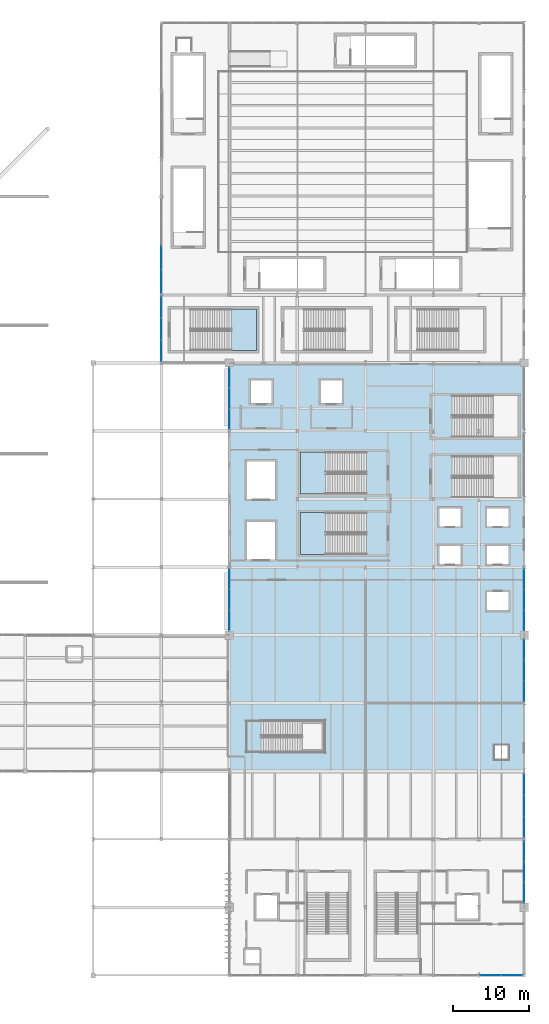
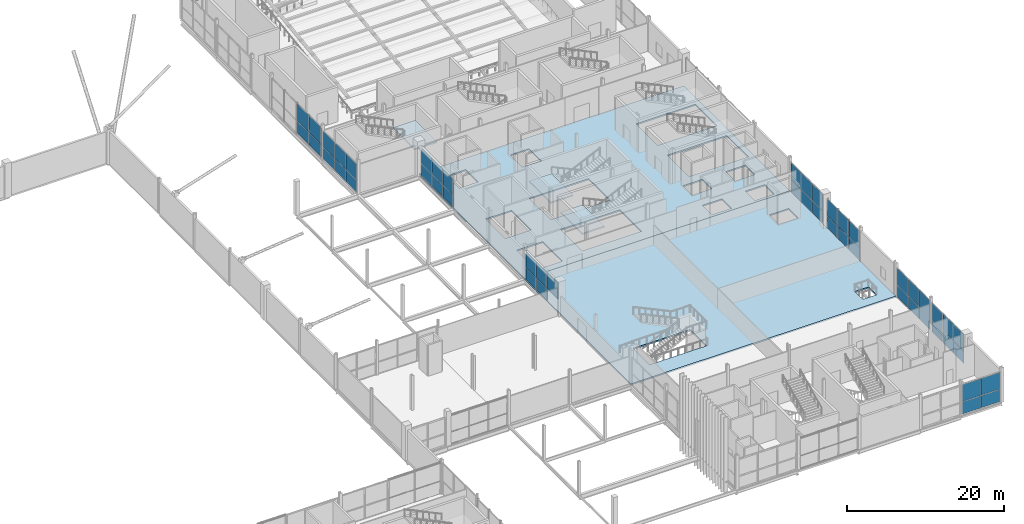
# One storey, part 79 of 119: 49 plates, 5 slabs, 12 elements without a shape of their own.
"""IFC4 building model written with IfcOpenShell, lengths in metres."""

from ifc_helpers import new_model, si_unit, direction, frame, origin, origin_2d, place, context, subcontext, project, spatial, polyline, rectangle, outline, extrude, material, layer, layer_set, type_object, element, aggregate, save


model = new_model("IFC4")

# Units and contexts
model_context = context("Model", 3, precision=1e-05, world=origin(), true_north=direction((0.0, 1.0)))
body_context = subcontext(model_context, "Body", "Model", "MODEL_VIEW")
ifc_project = project(units=[si_unit("LENGTHUNIT", "METRE"), si_unit("AREAUNIT", "SQUARE_METRE"), si_unit("VOLUMEUNIT", "CUBIC_METRE"), si_unit("PLANEANGLEUNIT", "RADIAN"), si_unit("MASSUNIT", "GRAM", prefix="KILO")], contexts=[model_context])

# Site, building, storey
site_placement = place(None, origin())
site = spatial("IfcSite", under=ifc_project, at=site_placement, CompositionType="ELEMENT")
building_placement = place(site_placement, origin())
building = spatial("IfcBuilding", under=site, at=building_placement, Name="Qamarlyn Nura Convention Centre", CompositionType="ELEMENT")
storey_placement = place(building_placement, frame((0.0, 0.0, 5.39990234375)))
storey = spatial("IfcBuildingStorey", under=building, at=storey_placement, Name="L01", CompositionType="ELEMENT", Elevation=5.39990234375)

# Curtain wall, plates
ifc_material_1 = material(Name="Double-silver low-E insulated glass", Category="glass")
ifc_layer_1 = layer(ifc_material_1, 0.179931640625, Name="CW-UNIT-67")
ifc_layer_set_1 = layer_set([ifc_layer_1], Name="Double-silver low-E insulated glass")
curtain_wall_type_1 = type_object("IfcCurtainWallType", Name="CW-UNIT-67", PredefinedType="NOTDEFINED", material=ifc_layer_set_1)
curtain_wall_1_placement = place(storey_placement, origin())
curtain_wall_1 = element("IfcCurtainWall", 1, at=curtain_wall_1_placement, inside=storey, type_object=curtain_wall_type_1, Name="L01 unitised curtain wall EAST-3-1", PredefinedType="NOTDEFINED")
ifc_layer_2 = layer(ifc_material_1, 0.028076171875, Name="CWP-VIS-28")
ifc_layer_set_2 = layer_set([ifc_layer_2], Name="Double-silver low-E insulated glass")
plate_type_1 = type_object("IfcPlateType", Name="CWP-VIS-28", PredefinedType="CURTAIN_PANEL", material=ifc_layer_set_2)
plate_1_placement = place(storey_placement, frame((192.0, 25.2275390625, 0.06494140625), z_axis=(0.0, 0.0, 1.0), x_axis=(0.0, -1.0, 0.0)))
plate_1 = element("IfcPlate", 2, at=plate_1_placement, type_object=plate_type_1, Name="CW67 panel 1.1", PredefinedType="CURTAIN_PANEL", context=body_context, shape_type="SweptSolid", body=[
    extrude(rectangle(XDim=2.719970703125, YDim=0.028076171875, at=origin_2d()), origin(), (0.0, 0.0, 1.0), 1.859619140625),
])
plate_2_placement = place(storey_placement, frame((192.0, 25.2275390625, 1.989501953125), z_axis=(0.0, 0.0, 1.0), x_axis=(0.0, -1.0, 0.0)))
plate_2 = element("IfcPlate", 3, at=plate_2_placement, type_object=plate_type_1, Name="CW67 panel 1.2", PredefinedType="CURTAIN_PANEL", context=body_context, shape_type="SweptSolid", body=[
    extrude(rectangle(XDim=2.719970703125, YDim=0.028076171875, at=origin_2d()), origin(), (0.0, 0.0, 1.0), 2.6044921875),
])
plate_3_placement = place(storey_placement, frame((192.0, 22.42626953125, 0.06494140625), z_axis=(0.0, 0.0, 1.0), x_axis=(0.0, -1.0, 0.0)))
plate_3 = element("IfcPlate", 4, at=plate_3_placement, type_object=plate_type_1, Name="CW67 panel 2.1", PredefinedType="CURTAIN_PANEL", context=body_context, shape_type="SweptSolid", body=[
    extrude(rectangle(XDim=2.75244140625, YDim=0.028076171875, at=origin_2d()), origin(), (0.0, 0.0, 1.0), 1.859619140625),
])
plate_4_placement = place(storey_placement, frame((192.0, 22.42626953125, 1.989501953125), z_axis=(0.0, 0.0, 1.0), x_axis=(0.0, -1.0, 0.0)))
plate_4 = element("IfcPlate", 5, at=plate_4_placement, type_object=plate_type_1, Name="CW67 panel 2.2", PredefinedType="CURTAIN_PANEL", context=body_context, shape_type="SweptSolid", body=[
    extrude(rectangle(XDim=2.75244140625, YDim=0.028076171875, at=origin_2d()), origin(), (0.0, 0.0, 1.0), 2.6044921875),
])
plate_5_placement = place(storey_placement, frame((192.0, 19.625, 0.06494140625), z_axis=(0.0, 0.0, 1.0), x_axis=(0.0, -1.0, 0.0)))
plate_5 = element("IfcPlate", 6, at=plate_5_placement, type_object=plate_type_1, Name="CW67 panel 3.1", PredefinedType="CURTAIN_PANEL", context=body_context, shape_type="SweptSolid", body=[
    extrude(rectangle(XDim=2.719970703125, YDim=0.028076171875, at=origin_2d()), origin(), (0.0, 0.0, 1.0), 1.859619140625),
])
plate_6_placement = place(storey_placement, frame((192.0, 19.625, 1.989501953125), z_axis=(0.0, 0.0, 1.0), x_axis=(0.0, -1.0, 0.0)))
plate_6 = element("IfcPlate", 7, at=plate_6_placement, type_object=plate_type_1, Name="CW67 panel 3.2", PredefinedType="CURTAIN_PANEL", context=body_context, shape_type="SweptSolid", body=[
    extrude(rectangle(XDim=2.719970703125, YDim=0.028076171875, at=origin_2d()), origin(), (0.0, 0.0, 1.0), 2.6044921875),
])
aggregate(curtain_wall_1, [plate_1, plate_2, plate_3, plate_4, plate_5, plate_6])

ifc_layer_3 = layer(ifc_material_1, 0.179931640625, Name="CW-UNIT-68")
ifc_layer_set_3 = layer_set([ifc_layer_3], Name="Double-silver low-E insulated glass")
curtain_wall_type_2 = type_object("IfcCurtainWallType", Name="CW-UNIT-68", PredefinedType="NOTDEFINED", material=ifc_layer_set_3)
curtain_wall_2_placement = place(storey_placement, origin())
curtain_wall_2 = element("IfcCurtainWall", 8, at=curtain_wall_2_placement, inside=storey, type_object=curtain_wall_type_2, Name="L01 unitised curtain wall EAST-5-1", PredefinedType="NOTDEFINED")
plate_7_placement = place(storey_placement, frame((192.0, 43.06201171875, 0.06005859375), z_axis=(0.0, 0.0, 1.0), x_axis=(0.0, -1.0, 0.0)))
plate_7 = element("IfcPlate", 9, at=plate_7_placement, type_object=plate_type_1, Name="CW68 panel 1.1", PredefinedType="CURTAIN_PANEL", context=body_context, shape_type="SweptSolid", body=[
    extrude(rectangle(XDim=2.65576171875, YDim=0.028076171875, at=origin_2d()), origin(), (0.0, 0.0, 1.0), 1.8359375),
])
plate_8_placement = place(storey_placement, frame((192.0, 43.06201171875, 1.9560546875), z_axis=(0.0, 0.0, 1.0), x_axis=(0.0, -1.0, 0.0)))
plate_8 = element("IfcPlate", 10, at=plate_8_placement, type_object=plate_type_1, Name="CW68 panel 1.2", PredefinedType="CURTAIN_PANEL", context=body_context, shape_type="SweptSolid", body=[
    extrude(rectangle(XDim=2.65576171875, YDim=0.028076171875, at=origin_2d()), origin(), (0.0, 0.0, 1.0), 2.570068359375),
])
plate_9_placement = place(storey_placement, frame((192.0, 40.331298828125, 0.06005859375), z_axis=(0.0, 0.0, 1.0), x_axis=(0.0, -1.0, 0.0)))
plate_9 = element("IfcPlate", 11, at=plate_9_placement, type_object=plate_type_1, Name="CW68 panel 2.1", PredefinedType="CURTAIN_PANEL", context=body_context, shape_type="SweptSolid", body=[
    extrude(rectangle(XDim=2.685791015625, YDim=0.028076171875, at=origin_2d()), origin(), (0.0, 0.0, 1.0), 1.8359375),
])
plate_10_placement = place(storey_placement, frame((192.0, 40.331298828125, 1.9560546875), z_axis=(0.0, 0.0, 1.0), x_axis=(0.0, -1.0, 0.0)))
plate_10 = element("IfcPlate", 12, at=plate_10_placement, type_object=plate_type_1, Name="CW68 panel 2.2", PredefinedType="CURTAIN_PANEL", context=body_context, shape_type="SweptSolid", body=[
    extrude(rectangle(XDim=2.685791015625, YDim=0.028076171875, at=origin_2d()), origin(), (0.0, 0.0, 1.0), 2.570068359375),
])
plate_11_placement = place(storey_placement, frame((192.0, 37.600341796875, 0.06005859375), z_axis=(0.0, 0.0, 1.0), x_axis=(0.0, -1.0, 0.0)))
plate_11 = element("IfcPlate", 13, at=plate_11_placement, type_object=plate_type_1, Name="CW68 panel 3.1", PredefinedType="CURTAIN_PANEL", context=body_context, shape_type="SweptSolid", body=[
    extrude(rectangle(XDim=2.65576171875, YDim=0.028076171875, at=origin_2d()), origin(), (0.0, 0.0, 1.0), 1.8359375),
])
plate_12_placement = place(storey_placement, frame((192.0, 37.600341796875, 1.9560546875), z_axis=(0.0, 0.0, 1.0), x_axis=(0.0, -1.0, 0.0)))
plate_12 = element("IfcPlate", 14, at=plate_12_placement, type_object=plate_type_1, Name="CW68 panel 3.2", PredefinedType="CURTAIN_PANEL", context=body_context, shape_type="SweptSolid", body=[
    extrude(rectangle(XDim=2.65576171875, YDim=0.028076171875, at=origin_2d()), origin(), (0.0, 0.0, 1.0), 2.570068359375),
])
aggregate(curtain_wall_2, [plate_7, plate_8, plate_9, plate_10, plate_11, plate_12])

ifc_layer_4 = layer(ifc_material_1, 0.179931640625, Name="CW-UNIT-69")
ifc_layer_set_4 = layer_set([ifc_layer_4], Name="Double-silver low-E insulated glass")
curtain_wall_type_3 = type_object("IfcCurtainWallType", Name="CW-UNIT-69", PredefinedType="NOTDEFINED", material=ifc_layer_set_4)
curtain_wall_3_placement = place(storey_placement, origin())
curtain_wall_3 = element("IfcCurtainWall", 15, at=curtain_wall_3_placement, inside=storey, type_object=curtain_wall_type_3, Name="L01 unitised curtain wall EAST-6-1", PredefinedType="NOTDEFINED")
plate_13_placement = place(storey_placement, frame((192.0, 52.407470703125, 0.070068359375), z_axis=(0.0, 0.0, 1.0), x_axis=(0.0, -1.0, 0.0)))
plate_13 = element("IfcPlate", 16, at=plate_13_placement, type_object=plate_type_1, Name="CW69 panel 1.1", PredefinedType="CURTAIN_PANEL", context=body_context, shape_type="SweptSolid", body=[
    extrude(rectangle(XDim=2.64501953125, YDim=0.028076171875, at=origin_2d()), origin(), (0.0, 0.0, 1.0), 1.85205078125),
])
plate_14_placement = place(storey_placement, frame((192.0, 52.407470703125, 1.9921875), z_axis=(0.0, 0.0, 1.0), x_axis=(0.0, -1.0, 0.0)))
plate_14 = element("IfcPlate", 17, at=plate_14_placement, type_object=plate_type_1, Name="CW69 panel 1.2", PredefinedType="CURTAIN_PANEL", context=body_context, shape_type="SweptSolid", body=[
    extrude(rectangle(XDim=2.64501953125, YDim=0.028076171875, at=origin_2d()), origin(), (0.0, 0.0, 1.0), 2.596923828125),
])
plate_15_placement = place(storey_placement, frame((192.0, 49.675048828125, 0.070068359375), z_axis=(0.0, 0.0, 1.0), x_axis=(0.0, -1.0, 0.0)))
plate_15 = element("IfcPlate", 18, at=plate_15_placement, type_object=plate_type_1, Name="CW69 panel 2.1", PredefinedType="CURTAIN_PANEL", context=body_context, shape_type="SweptSolid", body=[
    extrude(rectangle(XDim=2.679931640625, YDim=0.028076171875, at=origin_2d()), origin(), (0.0, 0.0, 1.0), 1.85205078125),
])
plate_16_placement = place(storey_placement, frame((192.0, 49.675048828125, 1.9921875), z_axis=(0.0, 0.0, 1.0), x_axis=(0.0, -1.0, 0.0)))
plate_16 = element("IfcPlate", 19, at=plate_16_placement, type_object=plate_type_1, Name="CW69 panel 2.2", PredefinedType="CURTAIN_PANEL", context=body_context, shape_type="SweptSolid", body=[
    extrude(rectangle(XDim=2.679931640625, YDim=0.028076171875, at=origin_2d()), origin(), (0.0, 0.0, 1.0), 2.596923828125),
])
plate_17_placement = place(storey_placement, frame((192.0, 46.9423828125, 0.070068359375), z_axis=(0.0, 0.0, 1.0), x_axis=(0.0, -1.0, 0.0)))
plate_17 = element("IfcPlate", 20, at=plate_17_placement, type_object=plate_type_1, Name="CW69 panel 3.1", PredefinedType="CURTAIN_PANEL", context=body_context, shape_type="SweptSolid", body=[
    extrude(rectangle(XDim=2.64501953125, YDim=0.028076171875, at=origin_2d()), origin(), (0.0, 0.0, 1.0), 1.85205078125),
])
plate_18_placement = place(storey_placement, frame((192.0, 46.9423828125, 1.9921875), z_axis=(0.0, 0.0, 1.0), x_axis=(0.0, -1.0, 0.0)))
plate_18 = element("IfcPlate", 21, at=plate_18_placement, type_object=plate_type_1, Name="CW69 panel 3.2", PredefinedType="CURTAIN_PANEL", context=body_context, shape_type="SweptSolid", body=[
    extrude(rectangle(XDim=2.64501953125, YDim=0.028076171875, at=origin_2d()), origin(), (0.0, 0.0, 1.0), 2.596923828125),
])
aggregate(curtain_wall_3, [plate_13, plate_14, plate_15, plate_16, plate_17, plate_18])

ifc_layer_5 = layer(ifc_material_1, 0.179931640625, Name="CW-UNIT-79")
ifc_layer_set_5 = layer_set([ifc_layer_5], Name="Double-silver low-E insulated glass")
curtain_wall_type_4 = type_object("IfcCurtainWallType", Name="CW-UNIT-79", PredefinedType="NOTDEFINED", material=ifc_layer_set_5)
curtain_wall_4_placement = place(storey_placement, origin())
curtain_wall_4 = element("IfcCurtainWall", 22, at=curtain_wall_4_placement, inside=storey, type_object=curtain_wall_type_4, Name="L01 unitised curtain wall STH-5-1", PredefinedType="NOTDEFINED")
plate_19_placement = place(storey_placement, frame((190.356689453125, 0.0, 0.065185546875), z_axis=(0.0, 0.0, 1.0), x_axis=(-1.0, 0.0, 0.0)))
plate_19 = element("IfcPlate", 23, at=plate_19_placement, type_object=plate_type_1, Name="CW79 panel 1.1", PredefinedType="CURTAIN_PANEL", context=body_context, shape_type="SweptSolid", body=[
    extrude(rectangle(XDim=2.74755859375, YDim=0.028076171875, at=origin_2d()), origin(), (0.0, 0.0, 1.0), 1.87646484375),
])
plate_20_placement = place(storey_placement, frame((190.356689453125, 0.0, 2.006591796875), z_axis=(0.0, 0.0, 1.0), x_axis=(-1.0, 0.0, 0.0)))
plate_20 = element("IfcPlate", 24, at=plate_20_placement, type_object=plate_type_1, Name="CW79 panel 1.2", PredefinedType="CURTAIN_PANEL", context=body_context, shape_type="SweptSolid", body=[
    extrude(rectangle(XDim=2.74755859375, YDim=0.028076171875, at=origin_2d()), origin(), (0.0, 0.0, 1.0), 2.62744140625),
])
plate_21_placement = place(storey_placement, frame((187.544189453125, 0.0, 0.065185546875), z_axis=(0.0, 0.0, 1.0), x_axis=(-1.0, 0.0, 0.0)))
plate_21 = element("IfcPlate", 25, at=plate_21_placement, type_object=plate_type_1, Name="CW79 panel 2.1", PredefinedType="CURTAIN_PANEL", context=body_context, shape_type="SweptSolid", body=[
    extrude(rectangle(XDim=2.74755859375, YDim=0.028076171875, at=origin_2d()), origin(), (0.0, 0.0, 1.0), 1.87646484375),
])
plate_22_placement = place(storey_placement, frame((187.544189453125, 0.0, 2.006591796875), z_axis=(0.0, 0.0, 1.0), x_axis=(-1.0, 0.0, 0.0)))
plate_22 = element("IfcPlate", 26, at=plate_22_placement, type_object=plate_type_1, Name="CW79 panel 2.2", PredefinedType="CURTAIN_PANEL", context=body_context, shape_type="SweptSolid", body=[
    extrude(rectangle(XDim=2.74755859375, YDim=0.028076171875, at=origin_2d()), origin(), (0.0, 0.0, 1.0), 2.62744140625),
])
aggregate(curtain_wall_4, [plate_19, plate_20, plate_21, plate_22])

ifc_layer_6 = layer(ifc_material_1, 0.179931640625, Name="CW-UNIT-82")
ifc_layer_set_6 = layer_set([ifc_layer_6], Name="Double-silver low-E insulated glass")
curtain_wall_type_5 = type_object("IfcCurtainWallType", Name="CW-UNIT-82", PredefinedType="NOTDEFINED", material=ifc_layer_set_6)
curtain_wall_5_placement = place(storey_placement, origin())
curtain_wall_5 = element("IfcCurtainWall", 27, at=curtain_wall_5_placement, inside=storey, type_object=curtain_wall_type_5, Name="L01 unitised curtain wall CRT-45-1", PredefinedType="NOTDEFINED")
plate_23_placement = place(storey_placement, frame((153.0, 46.93994140625, 1.92626953125), z_axis=(0.0, 0.0, 1.0), x_axis=(0.0, 1.0, 0.0)))
plate_23 = element("IfcPlate", 28, at=plate_23_placement, type_object=plate_type_1, Name="CW82 panel 1.2", PredefinedType="CURTAIN_PANEL", context=body_context, shape_type="SweptSolid", body=[
    extrude(rectangle(XDim=2.659912109375, YDim=0.028076171875, at=origin_2d()), origin(), (0.0, 0.0, 1.0), 2.528076171875),
])
plate_24_placement = place(storey_placement, frame((153.0, 49.675048828125, 0.06005859375), z_axis=(0.0, 0.0, 1.0), x_axis=(0.0, 1.0, 0.0)))
plate_24 = element("IfcPlate", 29, at=plate_24_placement, type_object=plate_type_1, Name="CW82 panel 2.1", PredefinedType="CURTAIN_PANEL", context=body_context, shape_type="SweptSolid", body=[
    extrude(rectangle(XDim=2.68994140625, YDim=0.028076171875, at=origin_2d()), origin(), (0.0, 0.0, 1.0), 1.805908203125),
])
plate_25_placement = place(storey_placement, frame((153.0, 49.675048828125, 1.92626953125), z_axis=(0.0, 0.0, 1.0), x_axis=(0.0, 1.0, 0.0)))
plate_25 = element("IfcPlate", 30, at=plate_25_placement, type_object=plate_type_1, Name="CW82 panel 2.2", PredefinedType="CURTAIN_PANEL", context=body_context, shape_type="SweptSolid", body=[
    extrude(rectangle(XDim=2.68994140625, YDim=0.028076171875, at=origin_2d()), origin(), (0.0, 0.0, 1.0), 2.528076171875),
])
plate_26_placement = place(storey_placement, frame((153.0, 52.409912109375, 0.06005859375), z_axis=(0.0, 0.0, 1.0), x_axis=(0.0, 1.0, 0.0)))
plate_26 = element("IfcPlate", 31, at=plate_26_placement, type_object=plate_type_1, Name="CW82 panel 3.1", PredefinedType="CURTAIN_PANEL", context=body_context, shape_type="SweptSolid", body=[
    extrude(rectangle(XDim=2.659912109375, YDim=0.028076171875, at=origin_2d()), origin(), (0.0, 0.0, 1.0), 1.805908203125),
])
plate_27_placement = place(storey_placement, frame((153.0, 52.409912109375, 1.92626953125), z_axis=(0.0, 0.0, 1.0), x_axis=(0.0, 1.0, 0.0)))
plate_27 = element("IfcPlate", 32, at=plate_27_placement, type_object=plate_type_1, Name="CW82 panel 3.2", PredefinedType="CURTAIN_PANEL", context=body_context, shape_type="SweptSolid", body=[
    extrude(rectangle(XDim=2.659912109375, YDim=0.028076171875, at=origin_2d()), origin(), (0.0, 0.0, 1.0), 2.528076171875),
])
aggregate(curtain_wall_5, [plate_23, plate_24, plate_25, plate_26, plate_27])

ifc_layer_7 = layer(ifc_material_1, 0.179931640625, Name="CW-UNIT-63")
ifc_layer_set_7 = layer_set([ifc_layer_7], Name="Double-silver low-E insulated glass")
curtain_wall_type_6 = type_object("IfcCurtainWallType", Name="CW-UNIT-63", PredefinedType="NOTDEFINED", material=ifc_layer_set_7)
curtain_wall_6_placement = place(storey_placement, origin())
curtain_wall_6 = element("IfcCurtainWall", 33, at=curtain_wall_6_placement, inside=storey, type_object=curtain_wall_type_6, Name="L01 unitised curtain wall CRT-72-1", PredefinedType="NOTDEFINED")
plate_28_placement = place(storey_placement, frame((153.0, 73.60302734375, 0.06982421875), z_axis=(0.0, 0.0, 1.0), x_axis=(0.0, 1.0, 0.0)))
plate_28 = element("IfcPlate", 34, at=plate_28_placement, type_object=plate_type_1, Name="CW63 panel 1.1", PredefinedType="CURTAIN_PANEL", context=body_context, shape_type="SweptSolid", body=[
    extrude(rectangle(XDim=2.640869140625, YDim=0.028076171875, at=origin_2d()), origin(), (0.0, 0.0, 1.0), 1.777099609375),
])
plate_29_placement = place(storey_placement, frame((153.0, 73.60302734375, 1.9169921875), z_axis=(0.0, 0.0, 1.0), x_axis=(0.0, 1.0, 0.0)))
plate_29 = element("IfcPlate", 35, at=plate_29_placement, type_object=plate_type_1, Name="CW63 panel 1.2", PredefinedType="CURTAIN_PANEL", context=body_context, shape_type="SweptSolid", body=[
    extrude(rectangle(XDim=2.640869140625, YDim=0.028076171875, at=origin_2d()), origin(), (0.0, 0.0, 1.0), 2.493896484375),
])
plate_30_placement = place(storey_placement, frame((153.0, 76.331298828125, 0.06982421875), z_axis=(0.0, 0.0, 1.0), x_axis=(0.0, 1.0, 0.0)))
plate_30 = element("IfcPlate", 36, at=plate_30_placement, type_object=plate_type_1, Name="CW63 panel 2.1", PredefinedType="CURTAIN_PANEL", context=body_context, shape_type="SweptSolid", body=[
    extrude(rectangle(XDim=2.67578125, YDim=0.028076171875, at=origin_2d()), origin(), (0.0, 0.0, 1.0), 1.777099609375),
])
plate_31_placement = place(storey_placement, frame((153.0, 76.331298828125, 1.9169921875), z_axis=(0.0, 0.0, 1.0), x_axis=(0.0, 1.0, 0.0)))
plate_31 = element("IfcPlate", 37, at=plate_31_placement, type_object=plate_type_1, Name="CW63 panel 2.2", PredefinedType="CURTAIN_PANEL", context=body_context, shape_type="SweptSolid", body=[
    extrude(rectangle(XDim=2.67578125, YDim=0.028076171875, at=origin_2d()), origin(), (0.0, 0.0, 1.0), 2.493896484375),
])
plate_32_placement = place(storey_placement, frame((153.0, 79.0595703125, 0.06982421875), z_axis=(0.0, 0.0, 1.0), x_axis=(0.0, 1.0, 0.0)))
plate_32 = element("IfcPlate", 38, at=plate_32_placement, type_object=plate_type_1, Name="CW63 panel 3.1", PredefinedType="CURTAIN_PANEL", context=body_context, shape_type="SweptSolid", body=[
    extrude(rectangle(XDim=2.640869140625, YDim=0.028076171875, at=origin_2d()), origin(), (0.0, 0.0, 1.0), 1.777099609375),
])
plate_33_placement = place(storey_placement, frame((153.0, 79.0595703125, 1.9169921875), z_axis=(0.0, 0.0, 1.0), x_axis=(0.0, 1.0, 0.0)))
plate_33 = element("IfcPlate", 39, at=plate_33_placement, type_object=plate_type_1, Name="CW63 panel 3.2", PredefinedType="CURTAIN_PANEL", context=body_context, shape_type="SweptSolid", body=[
    extrude(rectangle(XDim=2.640869140625, YDim=0.028076171875, at=origin_2d()), origin(), (0.0, 0.0, 1.0), 2.493896484375),
])
aggregate(curtain_wall_6, [plate_28, plate_29, plate_30, plate_31, plate_32, plate_33])

ifc_layer_8 = layer(ifc_material_1, 0.179931640625, Name="CW-UNIT-83")
ifc_layer_set_8 = layer_set([ifc_layer_8], Name="Double-silver low-E insulated glass")
curtain_wall_type_7 = type_object("IfcCurtainWallType", Name="CW-UNIT-83", PredefinedType="NOTDEFINED", material=ifc_layer_set_8)
curtain_wall_7_placement = place(storey_placement, origin())
curtain_wall_7 = element("IfcCurtainWall", 40, at=curtain_wall_7_placement, inside=storey, type_object=curtain_wall_type_7, Name="L01 unitised curtain wall PLW-81-1", PredefinedType="NOTDEFINED")
plate_34_placement = place(storey_placement, frame((144.0, 82.64208984375, 0.06494140625), z_axis=(0.0, 0.0, 1.0), x_axis=(0.0, 1.0, 0.0)))
plate_34 = element("IfcPlate", 41, at=plate_34_placement, type_object=plate_type_1, Name="CW83 panel 1.1", PredefinedType="CURTAIN_PANEL", context=body_context, shape_type="SweptSolid", body=[
    extrude(rectangle(XDim=2.7822265625, YDim=0.028076171875, at=origin_2d()), origin(), (0.0, 0.0, 1.0), 1.779541015625),
])
plate_35_placement = place(storey_placement, frame((144.0, 82.64208984375, 1.909423828125), z_axis=(0.0, 0.0, 1.0), x_axis=(0.0, 1.0, 0.0)))
plate_35 = element("IfcPlate", 42, at=plate_35_placement, type_object=plate_type_1, Name="CW83 panel 1.2", PredefinedType="CURTAIN_PANEL", context=body_context, shape_type="SweptSolid", body=[
    extrude(rectangle(XDim=2.7822265625, YDim=0.028076171875, at=origin_2d()), origin(), (0.0, 0.0, 1.0), 2.49560546875),
])
plate_36_placement = place(storey_placement, frame((144.0, 85.505615234375, 0.06494140625), z_axis=(0.0, 0.0, 1.0), x_axis=(0.0, 1.0, 0.0)))
plate_36 = element("IfcPlate", 43, at=plate_36_placement, type_object=plate_type_1, Name="CW83 panel 2.1", PredefinedType="CURTAIN_PANEL", context=body_context, shape_type="SweptSolid", body=[
    extrude(rectangle(XDim=2.814697265625, YDim=0.028076171875, at=origin_2d()), origin(), (0.0, 0.0, 1.0), 1.779541015625),
])
plate_37_placement = place(storey_placement, frame((144.0, 85.505615234375, 1.909423828125), z_axis=(0.0, 0.0, 1.0), x_axis=(0.0, 1.0, 0.0)))
plate_37 = element("IfcPlate", 44, at=plate_37_placement, type_object=plate_type_1, Name="CW83 panel 2.2", PredefinedType="CURTAIN_PANEL", context=body_context, shape_type="SweptSolid", body=[
    extrude(rectangle(XDim=2.814697265625, YDim=0.028076171875, at=origin_2d()), origin(), (0.0, 0.0, 1.0), 2.49560546875),
])
plate_38_placement = place(storey_placement, frame((144.0, 88.368896484375, 0.06494140625), z_axis=(0.0, 0.0, 1.0), x_axis=(0.0, 1.0, 0.0)))
plate_38 = element("IfcPlate", 45, at=plate_38_placement, type_object=plate_type_1, Name="CW83 panel 3.1", PredefinedType="CURTAIN_PANEL", context=body_context, shape_type="SweptSolid", body=[
    extrude(rectangle(XDim=2.7822265625, YDim=0.028076171875, at=origin_2d()), origin(), (0.0, 0.0, 1.0), 1.779541015625),
])
plate_39_placement = place(storey_placement, frame((144.0, 88.368896484375, 1.909423828125), z_axis=(0.0, 0.0, 1.0), x_axis=(0.0, 1.0, 0.0)))
plate_39 = element("IfcPlate", 46, at=plate_39_placement, type_object=plate_type_1, Name="CW83 panel 3.2", PredefinedType="CURTAIN_PANEL", context=body_context, shape_type="SweptSolid", body=[
    extrude(rectangle(XDim=2.7822265625, YDim=0.028076171875, at=origin_2d()), origin(), (0.0, 0.0, 1.0), 2.49560546875),
])
aggregate(curtain_wall_7, [plate_34, plate_35, plate_36, plate_37, plate_38, plate_39])

ifc_layer_9 = layer(ifc_material_1, 0.179931640625, Name="CW-UNIT-66")
ifc_layer_set_9 = layer_set([ifc_layer_9], Name="Double-silver low-E insulated glass")
curtain_wall_type_8 = type_object("IfcCurtainWallType", Name="CW-UNIT-66", PredefinedType="NOTDEFINED", material=ifc_layer_set_9)
curtain_wall_8_placement = place(storey_placement, origin())
curtain_wall_8 = element("IfcCurtainWall", 47, at=curtain_wall_8_placement, inside=storey, type_object=curtain_wall_type_8, Name="L01 unitised curtain wall EAST-2-1", PredefinedType="NOTDEFINED")
ifc_layer_10 = layer(ifc_material_1, 0.031982421875, Name="CWP-VIS-32")
ifc_layer_set_10 = layer_set([ifc_layer_10], Name="Double-silver low-E insulated glass")
plate_type_2 = type_object("IfcPlateType", Name="CWP-VIS-32", PredefinedType="CURTAIN_PANEL", material=ifc_layer_set_10)
plate_40_placement = place(storey_placement, frame((192.0, 16.407470703125, 0.070068359375), z_axis=(0.0, 0.0, 1.0), x_axis=(0.0, -1.0, 0.0)))
plate_40 = element("IfcPlate", 48, at=plate_40_placement, type_object=plate_type_2, Name="CW66 panel 1.1", PredefinedType="CURTAIN_PANEL", context=body_context, shape_type="SweptSolid", body=[
    extrude(rectangle(XDim=2.64501953125, YDim=0.031982421875, at=origin_2d()), origin(), (0.0, 0.0, 1.0), 1.837890625),
])
plate_41_placement = place(storey_placement, frame((192.0, 16.407470703125, 1.97802734375), z_axis=(0.0, 0.0, 1.0), x_axis=(0.0, -1.0, 0.0)))
plate_41 = element("IfcPlate", 49, at=plate_41_placement, type_object=plate_type_2, Name="CW66 panel 1.2", PredefinedType="CURTAIN_PANEL", context=body_context, shape_type="SweptSolid", body=[
    extrude(rectangle(XDim=2.64501953125, YDim=0.031982421875, at=origin_2d()), origin(), (0.0, 0.0, 1.0), 2.577880859375),
])
plate_42_placement = place(storey_placement, frame((192.0, 13.675048828125, 0.070068359375), z_axis=(0.0, 0.0, 1.0), x_axis=(0.0, -1.0, 0.0)))
plate_42 = element("IfcPlate", 50, at=plate_42_placement, type_object=plate_type_2, Name="CW66 panel 2.1", PredefinedType="CURTAIN_PANEL", context=body_context, shape_type="SweptSolid", body=[
    extrude(rectangle(XDim=2.679931640625, YDim=0.031982421875, at=origin_2d()), origin(), (0.0, 0.0, 1.0), 1.837890625),
])
plate_43_placement = place(storey_placement, frame((192.0, 13.675048828125, 1.97802734375), z_axis=(0.0, 0.0, 1.0), x_axis=(0.0, -1.0, 0.0)))
plate_43 = element("IfcPlate", 51, at=plate_43_placement, type_object=plate_type_2, Name="CW66 panel 2.2", PredefinedType="CURTAIN_PANEL", context=body_context, shape_type="SweptSolid", body=[
    extrude(rectangle(XDim=2.679931640625, YDim=0.031982421875, at=origin_2d()), origin(), (0.0, 0.0, 1.0), 2.577880859375),
])
plate_44_placement = place(storey_placement, frame((192.0, 10.9423828125, 0.070068359375), z_axis=(0.0, 0.0, 1.0), x_axis=(0.0, -1.0, 0.0)))
plate_44 = element("IfcPlate", 52, at=plate_44_placement, type_object=plate_type_2, Name="CW66 panel 3.1", PredefinedType="CURTAIN_PANEL", context=body_context, shape_type="SweptSolid", body=[
    extrude(rectangle(XDim=2.64501953125, YDim=0.031982421875, at=origin_2d()), origin(), (0.0, 0.0, 1.0), 1.837890625),
])
plate_45_placement = place(storey_placement, frame((192.0, 10.9423828125, 1.97802734375), z_axis=(0.0, 0.0, 1.0), x_axis=(0.0, -1.0, 0.0)))
plate_45 = element("IfcPlate", 53, at=plate_45_placement, type_object=plate_type_2, Name="CW66 panel 3.2", PredefinedType="CURTAIN_PANEL", context=body_context, shape_type="SweptSolid", body=[
    extrude(rectangle(XDim=2.64501953125, YDim=0.031982421875, at=origin_2d()), origin(), (0.0, 0.0, 1.0), 2.577880859375),
])
aggregate(curtain_wall_8, [plate_40, plate_41, plate_42, plate_43, plate_44, plate_45])

ifc_layer_11 = layer(ifc_material_1, 0.179931640625, Name="CW-UNIT-84")
ifc_layer_set_11 = layer_set([ifc_layer_11], Name="Double-silver low-E insulated glass")
curtain_wall_type_9 = type_object("IfcCurtainWallType", Name="CW-UNIT-84", PredefinedType="NOTDEFINED", material=ifc_layer_set_11)
curtain_wall_9_placement = place(storey_placement, origin())
curtain_wall_9 = element("IfcCurtainWall", 54, at=curtain_wall_9_placement, inside=storey, type_object=curtain_wall_type_9, Name="L01 unitised curtain wall PLW-90-1", PredefinedType="NOTDEFINED")
plate_46_placement = place(storey_placement, frame((144.0, 91.76806640625, 0.06005859375), z_axis=(0.0, 0.0, 1.0), x_axis=(0.0, 1.0, 0.0)))
plate_46 = element("IfcPlate", 55, at=plate_46_placement, type_object=plate_type_2, Name="CW84 panel 1.1", PredefinedType="CURTAIN_PANEL", context=body_context, shape_type="SweptSolid", body=[
    extrude(rectangle(XDim=3.066162109375, YDim=0.031982421875, at=origin_2d()), origin(), (0.0, 0.0, 1.0), 1.884033203125),
])
plate_47_placement = place(storey_placement, frame((144.0, 91.76806640625, 2.00390625), z_axis=(0.0, 0.0, 1.0), x_axis=(0.0, 1.0, 0.0)))
plate_47 = element("IfcPlate", 56, at=plate_47_placement, type_object=plate_type_2, Name="CW84 panel 1.2", PredefinedType="CURTAIN_PANEL", context=body_context, shape_type="SweptSolid", body=[
    extrude(rectangle(XDim=3.066162109375, YDim=0.031982421875, at=origin_2d()), origin(), (0.0, 0.0, 1.0), 2.636962890625),
])
plate_48_placement = place(storey_placement, frame((144.0, 94.909423828125, 0.06005859375), z_axis=(0.0, 0.0, 1.0), x_axis=(0.0, 1.0, 0.0)))
plate_48 = element("IfcPlate", 57, at=plate_48_placement, type_object=plate_type_2, Name="CW84 panel 2.1", PredefinedType="CURTAIN_PANEL", context=body_context, shape_type="SweptSolid", body=[
    extrude(rectangle(XDim=3.09619140625, YDim=0.031982421875, at=origin_2d()), origin(), (0.0, 0.0, 1.0), 1.884033203125),
])
plate_49_placement = place(storey_placement, frame((144.0, 94.909423828125, 2.00390625), z_axis=(0.0, 0.0, 1.0), x_axis=(0.0, 1.0, 0.0)))
plate_49 = element("IfcPlate", 58, at=plate_49_placement, type_object=plate_type_2, Name="CW84 panel 2.2", PredefinedType="CURTAIN_PANEL", context=body_context, shape_type="SweptSolid", body=[
    extrude(rectangle(XDim=3.09619140625, YDim=0.031982421875, at=origin_2d()), origin(), (0.0, 0.0, 1.0), 2.636962890625),
])
aggregate(curtain_wall_9, [plate_46, plate_47, plate_48, plate_49])

# Slabs
ifc_material_2 = material(Name="Concrete C40/50", Category="concrete")
ifc_layer_12 = layer(ifc_material_2, 0.219970703125, Name="SL-L01")
ifc_layer_set_12 = layer_set([ifc_layer_12], Name="Concrete C40/50")
slab_type_1 = type_object("IfcSlabType", Name="SL-L01", PredefinedType="FLOOR", material=ifc_layer_set_12)
slab_1_placement = place(storey_placement, frame((0.0, 0.0, -0.219970703125)))
element("IfcSlab", 59, at=slab_1_placement, inside=storey, type_object=slab_type_1, Name="L01 floor slab L01-E2", PredefinedType="FLOOR", context=body_context, shape_type="SweptSolid", body=[
    extrude(outline(polyline([(153.0, 54.0), (192.0, 54.0), (192.0, 27.0), (153.0, 27.0), (153.0, 54.0)]), holes=[polyline([(188.0, 30.5), (188.0, 28.5), (190.0, 28.5), (190.0, 30.5), (188.0, 30.5)]), polyline([(157.199951171875, 33.679931640625), (157.199951171875, 29.5), (165.60009765625, 29.5), (165.60009765625, 33.679931640625), (157.199951171875, 33.679931640625)]), polyline([(187.074951171875, 48.300048828125), (189.925048828125, 48.300048828125), (189.925048828125, 50.699951171875), (187.074951171875, 50.699951171875), (187.074951171875, 48.300048828125)])]), origin(), (0.0, 0.0, 1.0), 0.219970703125),
])
slab_2_placement = place(storey_placement, frame((0.0, 0.0, -0.219970703125)))
element("IfcSlab", 60, at=slab_2_placement, inside=storey, type_object=slab_type_1, Name="L01 floor slab L01-E3", PredefinedType="FLOOR", context=body_context, shape_type="SweptSolid", body=[
    extrude(outline(polyline([(153.0, 54.0), (153.0, 81.0), (192.0, 81.0), (192.0, 54.0), (153.0, 54.0)]), holes=[polyline([(155.300048828125, 55.0), (159.10009765625, 55.0), (159.10009765625, 60.0), (155.300048828125, 60.0), (155.300048828125, 55.0)]), polyline([(155.300048828125, 63.0), (159.10009765625, 63.0), (159.10009765625, 68.0), (155.300048828125, 68.0), (155.300048828125, 63.0)]), polyline([(158.60009765625, 75.64990234375), (158.60009765625, 78.75), (155.800048828125, 78.75), (155.800048828125, 75.64990234375), (158.60009765625, 75.64990234375)]), polyline([(183.625, 54.39990234375), (183.625, 56.800048828125), (180.77490234375, 56.800048828125), (180.77490234375, 54.39990234375), (183.625, 54.39990234375)]), polyline([(189.925048828125, 54.39990234375), (189.925048828125, 56.800048828125), (187.074951171875, 56.800048828125), (187.074951171875, 54.39990234375), (189.925048828125, 54.39990234375)]), polyline([(171.139892578125, 61.199951171875), (162.39990234375, 61.199951171875), (162.39990234375, 55.699951171875), (171.139892578125, 55.699951171875), (171.139892578125, 61.199951171875)]), polyline([(180.77490234375, 59.39990234375), (183.625, 59.39990234375), (183.625, 61.800048828125), (180.77490234375, 61.800048828125), (180.77490234375, 59.39990234375)]), polyline([(187.074951171875, 59.39990234375), (189.925048828125, 59.39990234375), (189.925048828125, 61.800048828125), (187.074951171875, 61.800048828125), (187.074951171875, 59.39990234375)]), polyline([(182.4599609375, 63.199951171875), (191.199951171875, 63.199951171875), (191.199951171875, 68.699951171875), (182.4599609375, 68.699951171875), (182.4599609375, 63.199951171875)]), polyline([(171.139892578125, 69.199951171875), (162.39990234375, 69.199951171875), (162.39990234375, 63.699951171875), (171.139892578125, 63.699951171875), (171.139892578125, 69.199951171875)]), polyline([(182.4599609375, 71.199951171875), (191.199951171875, 71.199951171875), (191.199951171875, 76.699951171875), (182.4599609375, 76.699951171875), (182.4599609375, 71.199951171875)]), polyline([(165.10009765625, 75.64990234375), (167.89990234375, 75.64990234375), (167.89990234375, 78.75), (165.10009765625, 78.75), (165.10009765625, 75.64990234375)])]), origin(), (0.0, 0.0, 1.0), 0.219970703125),
])

# Stair, slab
stair_type = type_object("IfcStairType", Name="STAIR-EXIT-54", PredefinedType="HALF_TURN_STAIR", material=ifc_material_2)
stair_1_placement = place(storey_placement, origin())
stair_1 = element("IfcStair", 61, at=stair_1_placement, inside=storey, type_object=stair_type, Name="L01 Enclosed exit stair ST-11", PredefinedType="HALF_TURN_STAIR")
ifc_layer_13 = layer(ifc_material_2, 0.199951171875, Name="SL-LAND-200")
ifc_layer_set_13 = layer_set([ifc_layer_13], Name="Concrete C40/50")
slab_type_2 = type_object("IfcSlabType", Name="SL-LAND-200", PredefinedType="LANDING", material=ifc_layer_set_13)
slab_3_placement = place(storey_placement, frame((0.0, 0.0, 2.5)))
slab_3 = element("IfcSlab", 62, at=slab_3_placement, type_object=slab_type_2, Name="ST-11 landing 1", PredefinedType="LANDING", context=body_context, shape_type="SweptSolid", body=[
    extrude(outline(polyline([(165.699951171875, 61.199951171875), (162.39990234375, 61.199951171875), (162.39990234375, 55.699951171875), (165.699951171875, 55.699951171875), (165.699951171875, 61.199951171875)])), origin(), (0.0, 0.0, 1.0), 0.2001953125),
])
aggregate(stair_1, [slab_3])

stair_2_placement = place(storey_placement, origin())
stair_2 = element("IfcStair", 63, at=stair_2_placement, inside=storey, type_object=stair_type, Name="L01 Enclosed exit stair ST-12", PredefinedType="HALF_TURN_STAIR")
slab_4_placement = place(storey_placement, frame((0.0, 0.0, 2.5)))
slab_4 = element("IfcSlab", 64, at=slab_4_placement, type_object=slab_type_2, Name="ST-12 landing 1", PredefinedType="LANDING", context=body_context, shape_type="SweptSolid", body=[
    extrude(outline(polyline([(165.699951171875, 69.199951171875), (162.39990234375, 69.199951171875), (162.39990234375, 63.699951171875), (165.699951171875, 63.699951171875), (165.699951171875, 69.199951171875)])), origin(), (0.0, 0.0, 1.0), 0.2001953125),
])
aggregate(stair_2, [slab_4])

stair_3_placement = place(storey_placement, origin())
stair_3 = element("IfcStair", 65, at=stair_3_placement, inside=storey, type_object=stair_type, Name="L01 Enclosed exit stair ST-15", PredefinedType="HALF_TURN_STAIR")
slab_5_placement = place(storey_placement, frame((0.0, 0.0, 2.5)))
slab_5 = element("IfcSlab", 66, at=slab_5_placement, type_object=slab_type_2, Name="ST-15 landing 1", PredefinedType="LANDING", context=body_context, shape_type="SweptSolid", body=[
    extrude(outline(polyline([(153.300048828125, 82.64990234375), (156.60009765625, 82.64990234375), (156.60009765625, 88.14990234375), (153.300048828125, 88.14990234375), (153.300048828125, 82.64990234375)])), origin(), (0.0, 0.0, 1.0), 0.2001953125),
])
aggregate(stair_3, [slab_5])

save(model, "model.ifc")
